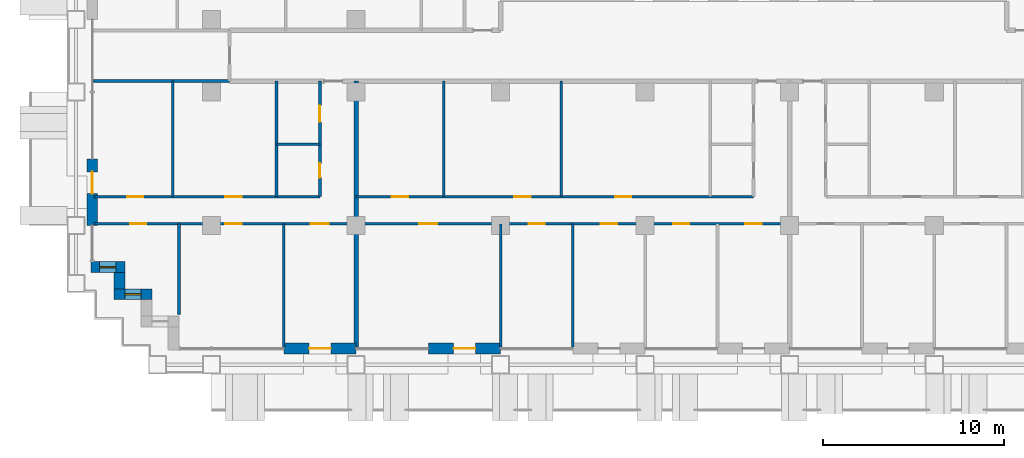
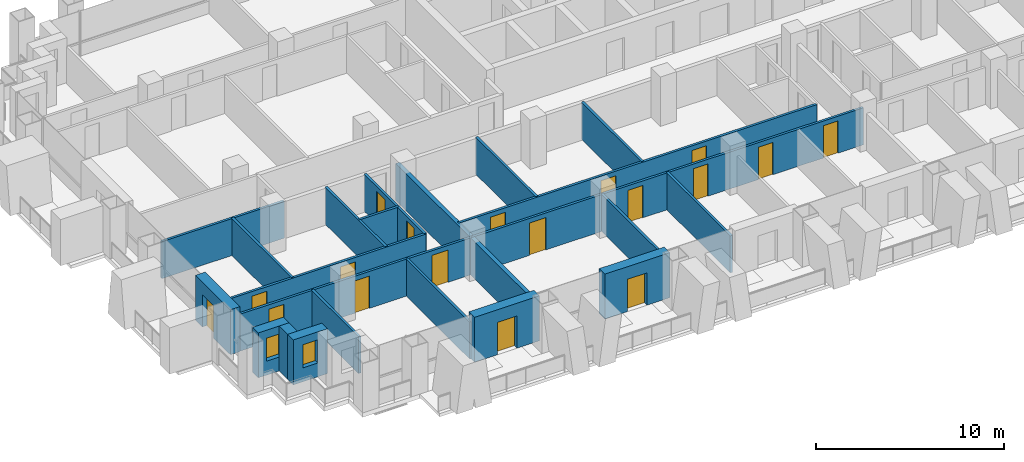
# One storey, part 9 of 18: 22 walls, 18 doors, 2 windows, 20 openings.
"""IFC4 building model written with IfcOpenShell, lengths in metres."""

from ifc_helpers import new_model, si_unit, direction, frame, frame_2d, origin, place, context, subcontext, project, spatial, rectangle, extrude, material, layer, layer_set, type_object, element, fill, save


model = new_model("IFC4")

# Units and contexts
model_context = context("Model", 3, precision=1e-05, world=origin(), true_north=direction((0.0, 1.0)))
body_context = subcontext(model_context, "Body", "Model", "MODEL_VIEW")
ifc_project = project(units=[si_unit("LENGTHUNIT", "METRE"), si_unit("AREAUNIT", "SQUARE_METRE"), si_unit("VOLUMEUNIT", "CUBIC_METRE"), si_unit("PLANEANGLEUNIT", "RADIAN"), si_unit("MASSUNIT", "GRAM", prefix="KILO")], contexts=[model_context])

# Site, building, storey
site_placement = place(None, origin())
site = spatial("IfcSite", under=ifc_project, at=site_placement, CompositionType="ELEMENT")
building_placement = place(site_placement, origin())
building = spatial("IfcBuilding", under=site, at=building_placement, Name="Vidyagriha Tower", CompositionType="ELEMENT")
storey_placement = place(building_placement, frame((0.0, 0.0, 48.0)))
storey = spatial("IfcBuildingStorey", under=building, at=storey_placement, Name="L12", CompositionType="ELEMENT", Elevation=48.0)

# Wall, opening, door
ifc_material_1 = material(Name="Precast concrete C40/50 with brick facing", Category="concrete")
ifc_layer_1 = layer(ifc_material_1, 0.60009765625)
ifc_layer_set_1 = layer_set([ifc_layer_1], Name="Precast concrete C40/50 with brick facing")
wall_type_1 = type_object("IfcWallType", Name="Brick-faced precast wall 600", PredefinedType="STANDARD", material=ifc_layer_set_1)
wall_1_placement = place(storey_placement, frame((-36.60009765625, -5.699951171875, 0.0), z_axis=(0.0, 0.0, 1.0), x_axis=(0.0, -1.0, 0.0)))
wall_1 = element("IfcWall", 1, at=wall_1_placement, inside=storey, type_object=wall_type_1, Name="Brick door bay wall L12 R16.6", PredefinedType="STANDARD", context=body_context, shape_type="SweptSolid", body=[
    extrude(rectangle(XDim=3.699951171875, YDim=0.60009765625, at=frame_2d((1.85009765625, 0.0))), origin(), (0.0, 0.0, 1.0), 2.919921875),
])
opening_1_placement = place(wall_1_placement, frame((0.72509765625, 0.0, 0.0)))
opening_1 = element("IfcOpeningElement", 2, at=opening_1_placement, cuts=wall_1, Name="Opening D12-76", PredefinedType="OPENING", context=body_context, shape_type="SweptSolid", body=[
    extrude(rectangle(XDim=1.199951171875, YDim=2.10009765625, at=frame_2d((0.60009765625, 1.050048828125))), frame((0.0, 0.31005859375, 0.0), z_axis=(0.0, -1.0, 0.0), x_axis=(1.0, 0.0, 0.0)), (0.0, 0.0, 1.0), 0.6201171875),
])
ifc_material_2 = material(Name="Aluminium framed glazed sliding door", Category="aluminium")
door_type_1 = type_object("IfcDoorType", Name="Balcony sliding door 1200x2100", OperationType="NOTDEFINED", PredefinedType="DOOR", material=ifc_material_2)
door_1_placement = place(opening_1_placement, origin())
door_1 = element("IfcDoor", 3, at=door_1_placement, inside=storey, type_object=door_type_1, Name="Door D12-76", OperationType="SLIDING_TO_LEFT", OverallHeight=2.10009765625, OverallWidth=1.199951171875, PredefinedType="DOOR", context=body_context, shape_type="SweptSolid", body=[
    extrude(rectangle(XDim=1.199951171875, YDim=2.10009765625, at=frame_2d((0.60009765625, 1.050048828125))), frame((0.0, 0.02490234375, 0.0), z_axis=(0.0, -1.0, 0.0), x_axis=(1.0, 0.0, 0.0)), (0.0, 0.0, 1.0), 0.050048828125),
])
fill(opening_1, door_1)

# Wall, opening, window
wall_2_placement = place(storey_placement, frame((-36.679931640625, -11.699951171875, 0.0)))
wall_2 = element("IfcWall", 4, at=wall_2_placement, inside=storey, type_object=wall_type_1, Name="Stepped corner wall L12 R17", PredefinedType="STANDARD", context=body_context, shape_type="SweptSolid", body=[
    extrude(rectangle(XDim=1.8798828125, YDim=0.60009765625, at=frame_2d((0.93994140625, 0.0))), origin(), (0.0, 0.0, 1.0), 2.919921875),
])
opening_2_placement = place(wall_2_placement, frame((0.489990234375, 0.0, 0.89990234375)))
opening_2 = element("IfcOpeningElement", 5, at=opening_2_placement, cuts=wall_2, Name="Opening WN1", PredefinedType="OPENING", context=body_context, shape_type="SweptSolid", body=[
    extrude(rectangle(XDim=0.89990234375, YDim=1.5, at=frame_2d((0.449951171875, 0.75))), frame((0.0, 0.31005859375, 0.0), z_axis=(0.0, -1.0, 0.0), x_axis=(1.0, 0.0, 0.0)), (0.0, 0.0, 1.0), 0.6201171875),
])
ifc_material_3 = material(Name="Aluminium and glass window", Category="aluminium")
window_type = type_object("IfcWindowType", Name="Reveal window 900x1500", PartitioningType="NOTDEFINED", PredefinedType="WINDOW", material=ifc_material_3)
window_1_placement = place(opening_2_placement, origin())
window_1 = element("IfcWindow", 6, at=window_1_placement, inside=storey, type_object=window_type, Name="Reveal window L12 R17", OverallHeight=1.5, OverallWidth=0.89990234375, PartitioningType="SINGLE_PANEL", PredefinedType="WINDOW", context=body_context, shape_type="SweptSolid", body=[
    extrude(rectangle(XDim=0.89990234375, YDim=1.5, at=frame_2d((0.449951171875, 0.75))), frame((0.0, 0.030029296875, 0.0), z_axis=(0.0, -1.0, 0.0), x_axis=(1.0, 0.0, 0.0)), (0.0, 0.0, 1.0), 0.06005859375),
])
fill(opening_2, window_1)

# Wall
wall_3_placement = place(storey_placement, frame((-35.10009765625, -12.0, 0.0), z_axis=(0.0, 0.0, 1.0), x_axis=(0.0, -1.0, 0.0)))
element("IfcWall", 7, at=wall_3_placement, inside=storey, type_object=wall_type_1, Name="Stepped corner wall L12 R18", PredefinedType="STANDARD", context=body_context, shape_type="SweptSolid", body=[
    extrude(rectangle(XDim=0.89990234375, YDim=0.60009765625, at=frame_2d((0.449951171875, 0.0))), origin(), (0.0, 0.0, 1.0), 2.919921875),
])

# Wall, opening, window
wall_4_placement = place(storey_placement, frame((-35.39990234375, -13.199951171875, 0.0)))
wall_4 = element("IfcWall", 8, at=wall_4_placement, inside=storey, type_object=wall_type_1, Name="Stepped corner wall L12 R19", PredefinedType="STANDARD", context=body_context, shape_type="SweptSolid", body=[
    extrude(rectangle(XDim=2.099853515625, YDim=0.60009765625, at=frame_2d((1.0498046875, 0.0))), origin(), (0.0, 0.0, 1.0), 2.919921875),
])
opening_3_placement = place(wall_4_placement, frame((0.60009765625, 0.0, 0.89990234375)))
opening_3 = element("IfcOpeningElement", 9, at=opening_3_placement, cuts=wall_4, Name="Opening WN1", PredefinedType="OPENING", context=body_context, shape_type="SweptSolid", body=[
    extrude(rectangle(XDim=0.89990234375, YDim=1.5, at=frame_2d((0.449951171875, 0.75))), frame((0.0, 0.31005859375, 0.0), z_axis=(0.0, -1.0, 0.0), x_axis=(1.0, 0.0, 0.0)), (0.0, 0.0, 1.0), 0.6201171875),
])
window_2_placement = place(opening_3_placement, origin())
window_2 = element("IfcWindow", 10, at=window_2_placement, inside=storey, type_object=window_type, Name="Reveal window L12 R19", OverallHeight=1.5, OverallWidth=0.89990234375, PartitioningType="SINGLE_PANEL", PredefinedType="WINDOW", context=body_context, shape_type="SweptSolid", body=[
    extrude(rectangle(XDim=0.89990234375, YDim=1.5, at=frame_2d((0.449951171875, 0.75))), frame((0.0, 0.030029296875, 0.0), z_axis=(0.0, -1.0, 0.0), x_axis=(1.0, 0.0, 0.0)), (0.0, 0.0, 1.0), 0.06005859375),
])
fill(opening_3, window_2)

# Wall, opening, door
wall_5_placement = place(storey_placement, frame((-26.0, -16.199951171875, 0.0)))
wall_5 = element("IfcWall", 11, at=wall_5_placement, inside=storey, type_object=wall_type_1, Name="Brick door bay wall L12 R23.3", PredefinedType="STANDARD", context=body_context, shape_type="SweptSolid", body=[
    extrude(rectangle(XDim=4.0, YDim=0.60009765625, at=frame_2d((2.0, 0.0))), origin(), (0.0, 0.0, 1.0), 2.919921875),
])
opening_4_placement = place(wall_5_placement, frame((1.39990234375, 0.0, 0.0)))
opening_4 = element("IfcOpeningElement", 12, at=opening_4_placement, cuts=wall_5, Name="Opening D12-77", PredefinedType="OPENING", context=body_context, shape_type="SweptSolid", body=[
    extrude(rectangle(XDim=1.199951171875, YDim=2.10009765625, at=frame_2d((0.60009765625, 1.050048828125))), frame((0.0, 0.31005859375, 0.0), z_axis=(0.0, -1.0, 0.0), x_axis=(1.0, 0.0, 0.0)), (0.0, 0.0, 1.0), 0.6201171875),
])
door_2_placement = place(opening_4_placement, origin())
door_2 = element("IfcDoor", 13, at=door_2_placement, inside=storey, type_object=door_type_1, Name="Door D12-77", OperationType="SLIDING_TO_LEFT", OverallHeight=2.10009765625, OverallWidth=1.199951171875, PredefinedType="DOOR", context=body_context, shape_type="SweptSolid", body=[
    extrude(rectangle(XDim=1.199951171875, YDim=2.10009765625, at=frame_2d((0.60009765625, 1.050048828125))), frame((0.0, 0.02490234375, 0.0), z_axis=(0.0, -1.0, 0.0), x_axis=(1.0, 0.0, 0.0)), (0.0, 0.0, 1.0), 0.050048828125),
])
fill(opening_4, door_2)

wall_6_placement = place(storey_placement, frame((-18.0, -16.199951171875, 0.0)))
wall_6 = element("IfcWall", 14, at=wall_6_placement, inside=storey, type_object=wall_type_1, Name="Brick door bay wall L12 R23.5", PredefinedType="STANDARD", context=body_context, shape_type="SweptSolid", body=[
    extrude(rectangle(XDim=4.0, YDim=0.60009765625, at=frame_2d((2.0, 0.0))), origin(), (0.0, 0.0, 1.0), 2.919921875),
])
opening_5_placement = place(wall_6_placement, frame((1.39990234375, 0.0, 0.0)))
opening_5 = element("IfcOpeningElement", 15, at=opening_5_placement, cuts=wall_6, Name="Opening D12-78", PredefinedType="OPENING", context=body_context, shape_type="SweptSolid", body=[
    extrude(rectangle(XDim=1.199951171875, YDim=2.10009765625, at=frame_2d((0.60009765625, 1.050048828125))), frame((0.0, 0.31005859375, 0.0), z_axis=(0.0, -1.0, 0.0), x_axis=(1.0, 0.0, 0.0)), (0.0, 0.0, 1.0), 0.6201171875),
])
door_3_placement = place(opening_5_placement, origin())
door_3 = element("IfcDoor", 16, at=door_3_placement, inside=storey, type_object=door_type_1, Name="Door D12-78", OperationType="SLIDING_TO_LEFT", OverallHeight=2.10009765625, OverallWidth=1.199951171875, PredefinedType="DOOR", context=body_context, shape_type="SweptSolid", body=[
    extrude(rectangle(XDim=1.199951171875, YDim=2.10009765625, at=frame_2d((0.60009765625, 1.050048828125))), frame((0.0, 0.02490234375, 0.0), z_axis=(0.0, -1.0, 0.0), x_axis=(1.0, 0.0, 0.0)), (0.0, 0.0, 1.0), 0.050048828125),
])
fill(opening_5, door_3)

# Walls
ifc_material_4 = material(Name="Fired clay brick masonry", Category="masonry")
ifc_layer_2 = layer(ifc_material_4, 0.25)
ifc_layer_set_2 = layer_set([ifc_layer_2], Name="Fired clay brick masonry")
wall_type_2 = type_object("IfcWallType", Name="Fired clay brick demising wall 250", PredefinedType="PARTITIONING", material=ifc_layer_set_2)
wall_7_placement = place(storey_placement, frame((-22.0, -1.39990234375, 0.0), z_axis=(0.0, 0.0, 1.0), x_axis=(0.0, -1.0, 0.0)))
element("IfcWall", 17, at=wall_7_placement, inside=storey, type_object=wall_type_2, Name="Wall all-L12-w039", PredefinedType="PARTITIONING", context=body_context, shape_type="SweptSolid", body=[
    extrude(rectangle(XDim=14.710205078125, YDim=0.25, at=frame_2d((7.35498046875, 0.0))), origin(), (0.0, 0.0, 1.0), 2.39990234375),
])
ifc_material_5 = material(Name="Gypsum board partition")
ifc_layer_3 = layer(ifc_material_5, 0.14990234375)
ifc_layer_set_3 = layer_set([ifc_layer_3], Name="Gypsum board partition")
wall_type_3 = type_object("IfcWallType", Name="Gypsum board partition 150", PredefinedType="PARTITIONING", material=ifc_layer_set_3)
wall_8_placement = place(storey_placement, frame((-24.0, -4.89990234375, 0.0), z_axis=(0.0, 0.0, 1.0), x_axis=(-1.0, 0.0, 0.0)))
element("IfcWall", 18, at=wall_8_placement, inside=storey, type_object=wall_type_3, Name="Wall all-L12-w004", PredefinedType="PARTITIONING", context=body_context, shape_type="SweptSolid", body=[
    extrude(rectangle(XDim=2.39990234375, YDim=0.14990234375, at=frame_2d((1.199951171875, 0.0))), origin(), (0.0, 0.0, 1.0), 2.39990234375),
])
for number, where, z_axis, x_axis, name in (
    (19, (-26.39990234375, -7.800048828125, 0.0), (0.0, 0.0, 1.0), (0.0, 1.0, 0.0), "Wall all-L12-w005"),
    (20, (-32.14990234375, -7.800048828125, 0.0), (0.0, 0.0, 1.0), (0.0, 1.0, 0.0), "Wall all-L12-w006"),
):
    element("IfcWall", number, at=place(storey_placement, frame(where, z_axis=z_axis, x_axis=x_axis)), inside=storey, type_object=wall_type_3, Name=name, PredefinedType="PARTITIONING", context=body_context, shape_type="SweptSolid", body=[
        extrude(rectangle(XDim=6.400146484375, YDim=0.14990234375, at=frame_2d((3.2001953125, 0.0))), origin(), (0.0, 0.0, 1.0), 2.39990234375),
    ])

# Wall, openings, doors
wall_9_placement = place(storey_placement, frame((-36.510009765625, -7.800048828125, 0.0)))
wall_9 = element("IfcWall", 21, at=wall_9_placement, inside=storey, type_object=wall_type_3, Name="Wall all-L12-w007", PredefinedType="PARTITIONING", context=body_context, shape_type="SweptSolid", body=[
    extrude(rectangle(XDim=12.510009765625, YDim=0.14990234375, at=frame_2d((6.2548828125, 0.0))), origin(), (0.0, 0.0, 1.0), 2.39990234375),
])
opening_6_placement = place(wall_9_placement, frame((7.27001953125, 0.0, 0.0)))
opening_6 = element("IfcOpeningElement", 22, at=opening_6_placement, cuts=wall_9, Name="Opening D12-15", PredefinedType="OPENING", context=body_context, shape_type="SweptSolid", body=[
    extrude(rectangle(XDim=0.89990234375, YDim=2.10009765625, at=frame_2d((0.449951171875, 1.050048828125))), frame((0.0, 0.0849609375, 0.0), z_axis=(0.0, -1.0, 0.0), x_axis=(1.0, 0.0, 0.0)), (0.0, 0.0, 1.0), 0.169921875),
])
opening_7_placement = place(wall_9_placement, frame((1.8349609375, 0.0, 0.0)))
opening_7 = element("IfcOpeningElement", 23, at=opening_7_placement, cuts=wall_9, Name="Opening D12-16", PredefinedType="OPENING", context=body_context, shape_type="SweptSolid", body=[
    extrude(rectangle(XDim=0.89990234375, YDim=2.10009765625, at=frame_2d((0.449951171875, 1.050048828125))), frame((0.0, 0.0849609375, 0.0), z_axis=(0.0, -1.0, 0.0), x_axis=(1.0, 0.0, 0.0)), (0.0, 0.0, 1.0), 0.169921875),
])
ifc_material_6 = material(Name="Timber door leaf", Category="wood")
door_type_2 = type_object("IfcDoorType", Name="Room door 900x2100", OperationType="NOTDEFINED", PredefinedType="DOOR", material=ifc_material_6)
door_4_placement = place(opening_6_placement, origin())
door_4 = element("IfcDoor", 24, at=door_4_placement, inside=storey, type_object=door_type_2, Name="Door D12-15", OperationType="SINGLE_SWING_RIGHT", OverallHeight=2.10009765625, OverallWidth=0.89990234375, PredefinedType="DOOR", context=body_context, shape_type="SweptSolid", body=[
    extrude(rectangle(XDim=0.89990234375, YDim=2.10009765625, at=frame_2d((0.449951171875, 1.050048828125))), frame((0.0, 0.02490234375, 0.0), z_axis=(0.0, -1.0, 0.0), x_axis=(1.0, 0.0, 0.0)), (0.0, 0.0, 1.0), 0.050048828125),
])
fill(opening_6, door_4)
door_5_placement = place(opening_7_placement, origin())
door_5 = element("IfcDoor", 25, at=door_5_placement, inside=storey, type_object=door_type_2, Name="Door D12-16", OperationType="SINGLE_SWING_LEFT", OverallHeight=2.10009765625, OverallWidth=0.89990234375, PredefinedType="DOOR", context=body_context, shape_type="SweptSolid", body=[
    extrude(rectangle(XDim=0.89990234375, YDim=2.10009765625, at=frame_2d((0.449951171875, 1.050048828125))), frame((0.0, 0.02490234375, 0.0), z_axis=(0.0, -1.0, 0.0), x_axis=(1.0, 0.0, 0.0)), (0.0, 0.0, 1.0), 0.050048828125),
])
fill(opening_7, door_5)

wall_10_placement = place(storey_placement, frame((-22.0, -9.300048828125, 0.0), z_axis=(0.0, 0.0, 1.0), x_axis=(-1.0, 0.0, 0.0)))
wall_10 = element("IfcWall", 26, at=wall_10_placement, inside=storey, type_object=wall_type_3, Name="Wall all-L12-w010", PredefinedType="PARTITIONING", context=body_context, shape_type="SweptSolid", body=[
    extrude(rectangle(XDim=14.510009765625, YDim=0.14990234375, at=frame_2d((7.2548828125, 0.0))), origin(), (0.0, 0.0, 1.0), 2.39990234375),
])
opening_8_placement = place(wall_10_placement, frame((11.60009765625, 0.0, 0.0)))
opening_8 = element("IfcOpeningElement", 27, at=opening_8_placement, cuts=wall_10, Name="Opening D12-17", PredefinedType="OPENING", context=body_context, shape_type="SweptSolid", body=[
    extrude(rectangle(XDim=0.89990234375, YDim=2.10009765625, at=frame_2d((0.449951171875, 1.050048828125))), frame((0.0, 0.0849609375, 0.0), z_axis=(0.0, -1.0, 0.0), x_axis=(1.0, 0.0, 0.0)), (0.0, 0.0, 1.0), 0.169921875),
])
opening_9_placement = place(wall_10_placement, frame((6.340087890625, 0.0, 0.0)))
opening_9 = element("IfcOpeningElement", 28, at=opening_9_placement, cuts=wall_10, Name="Opening D12-18", PredefinedType="OPENING", context=body_context, shape_type="SweptSolid", body=[
    extrude(rectangle(XDim=0.89990234375, YDim=2.10009765625, at=frame_2d((0.449951171875, 1.050048828125))), frame((0.0, 0.0849609375, 0.0), z_axis=(0.0, -1.0, 0.0), x_axis=(1.0, 0.0, 0.0)), (0.0, 0.0, 1.0), 0.169921875),
])
opening_10_placement = place(wall_10_placement, frame((1.5, 0.0, 0.0)))
opening_10 = element("IfcOpeningElement", 29, at=opening_10_placement, cuts=wall_10, Name="Opening D12-19", PredefinedType="OPENING", context=body_context, shape_type="SweptSolid", body=[
    extrude(rectangle(XDim=1.0, YDim=2.10009765625, at=frame_2d((0.5, 1.050048828125))), frame((0.0, 0.0849609375, 0.0), z_axis=(0.0, -1.0, 0.0), x_axis=(1.0, 0.0, 0.0)), (0.0, 0.0, 1.0), 0.169921875),
])
ifc_material_7 = material(Name="Timber door leaf", Category="wood")
door_type_3 = type_object("IfcDoorType", Name="Room door 1000x2100", OperationType="NOTDEFINED", PredefinedType="DOOR", material=ifc_material_7)
door_6_placement = place(opening_10_placement, origin())
door_6 = element("IfcDoor", 30, at=door_6_placement, inside=storey, type_object=door_type_3, Name="Door D12-19", OperationType="SINGLE_SWING_RIGHT", OverallHeight=2.10009765625, OverallWidth=1.0, PredefinedType="DOOR", context=body_context, shape_type="SweptSolid", body=[
    extrude(rectangle(XDim=1.0, YDim=2.10009765625, at=frame_2d((0.5, 1.050048828125))), frame((0.0, 0.02490234375, 0.0), z_axis=(0.0, -1.0, 0.0), x_axis=(1.0, 0.0, 0.0)), (0.0, 0.0, 1.0), 0.050048828125),
])
fill(opening_10, door_6)
door_7_placement = place(opening_8_placement, origin())
door_7 = element("IfcDoor", 31, at=door_7_placement, inside=storey, type_object=door_type_2, Name="Door D12-17", OperationType="SINGLE_SWING_LEFT", OverallHeight=2.10009765625, OverallWidth=0.89990234375, PredefinedType="DOOR", context=body_context, shape_type="SweptSolid", body=[
    extrude(rectangle(XDim=0.89990234375, YDim=2.10009765625, at=frame_2d((0.449951171875, 1.050048828125))), frame((0.0, 0.02490234375, 0.0), z_axis=(0.0, -1.0, 0.0), x_axis=(1.0, 0.0, 0.0)), (0.0, 0.0, 1.0), 0.050048828125),
])
fill(opening_8, door_7)
door_8_placement = place(opening_9_placement, origin())
door_8 = element("IfcDoor", 32, at=door_8_placement, inside=storey, type_object=door_type_2, Name="Door D12-18", OperationType="SINGLE_SWING_LEFT", OverallHeight=2.10009765625, OverallWidth=0.89990234375, PredefinedType="DOOR", context=body_context, shape_type="SweptSolid", body=[
    extrude(rectangle(XDim=0.89990234375, YDim=2.10009765625, at=frame_2d((0.449951171875, 1.050048828125))), frame((0.0, 0.02490234375, 0.0), z_axis=(0.0, -1.0, 0.0), x_axis=(1.0, 0.0, 0.0)), (0.0, 0.0, 1.0), 0.050048828125),
])
fill(opening_9, door_8)

# Walls
wall_11_placement = place(storey_placement, frame((-31.800048828125, -9.300048828125, 0.0), z_axis=(0.0, 0.0, 1.0), x_axis=(0.0, -1.0, 0.0)))
element("IfcWall", 33, at=wall_11_placement, inside=storey, type_object=wall_type_3, Name="Wall all-L12-w014", PredefinedType="PARTITIONING", context=body_context, shape_type="SweptSolid", body=[
    extrude(rectangle(XDim=5.02001953125, YDim=0.14990234375, at=frame_2d((2.510009765625, 0.0))), origin(), (0.0, 0.0, 1.0), 2.39990234375),
])
wall_12_placement = place(storey_placement, frame((-26.0, -9.300048828125, 0.0), z_axis=(0.0, 0.0, 1.0), x_axis=(0.0, -1.0, 0.0)))
element("IfcWall", 34, at=wall_12_placement, inside=storey, type_object=wall_type_3, Name="Wall all-L12-w015", PredefinedType="PARTITIONING", context=body_context, shape_type="SweptSolid", body=[
    extrude(rectangle(XDim=6.821044921875, YDim=0.14990234375, at=frame_2d((3.41064453125, 0.0))), origin(), (0.0, 0.0, 1.0), 2.39990234375),
])
for number, where, z_axis, x_axis, name in (
    (35, (-10.64990234375, -7.800048828125, 0.0), (0.0, 0.0, 1.0), (0.0, 1.0, 0.0), "Wall all-L12-w022"),
    (36, (-17.14990234375, -7.800048828125, 0.0), (0.0, 0.0, 1.0), (0.0, 1.0, 0.0), "Wall all-L12-w023"),
):
    element("IfcWall", number, at=place(storey_placement, frame(where, z_axis=z_axis, x_axis=x_axis)), inside=storey, type_object=wall_type_3, Name=name, PredefinedType="PARTITIONING", context=body_context, shape_type="SweptSolid", body=[
        extrude(rectangle(XDim=6.400146484375, YDim=0.14990234375, at=frame_2d((3.2001953125, 0.0))), origin(), (0.0, 0.0, 1.0), 2.39990234375),
    ])

# Wall, openings, doors
wall_13_placement = place(storey_placement, frame((-22.0, -7.800048828125, 0.0)))
wall_13 = element("IfcWall", 37, at=wall_13_placement, inside=storey, type_object=wall_type_3, Name="Wall all-L12-w024", PredefinedType="PARTITIONING", context=body_context, shape_type="SweptSolid", body=[
    extrude(rectangle(XDim=22.0, YDim=0.14990234375, at=frame_2d((11.0, 0.0))), origin(), (0.0, 0.0, 1.0), 2.39990234375),
])
opening_11_placement = place(wall_13_placement, frame((14.340087890625, 0.0, 0.0)))
opening_11 = element("IfcOpeningElement", 38, at=opening_11_placement, cuts=wall_13, Name="Opening D12-23", PredefinedType="OPENING", context=body_context, shape_type="SweptSolid", body=[
    extrude(rectangle(XDim=0.89990234375, YDim=2.10009765625, at=frame_2d((0.449951171875, 1.050048828125))), frame((0.0, 0.0849609375, 0.0), z_axis=(0.0, -1.0, 0.0), x_axis=(1.0, 0.0, 0.0)), (0.0, 0.0, 1.0), 0.169921875),
])
opening_12_placement = place(wall_13_placement, frame((8.760009765625, 0.0, 0.0)))
opening_12 = element("IfcOpeningElement", 39, at=opening_12_placement, cuts=wall_13, Name="Opening D12-24", PredefinedType="OPENING", context=body_context, shape_type="SweptSolid", body=[
    extrude(rectangle(XDim=0.89990234375, YDim=2.10009765625, at=frame_2d((0.449951171875, 1.050048828125))), frame((0.0, 0.0849609375, 0.0), z_axis=(0.0, -1.0, 0.0), x_axis=(1.0, 0.0, 0.0)), (0.0, 0.0, 1.0), 0.169921875),
])
opening_13_placement = place(wall_13_placement, frame((1.97509765625, 0.0, 0.0)))
opening_13 = element("IfcOpeningElement", 40, at=opening_13_placement, cuts=wall_13, Name="Opening D12-25", PredefinedType="OPENING", context=body_context, shape_type="SweptSolid", body=[
    extrude(rectangle(XDim=0.89990234375, YDim=2.10009765625, at=frame_2d((0.449951171875, 1.050048828125))), frame((0.0, 0.0849609375, 0.0), z_axis=(0.0, -1.0, 0.0), x_axis=(1.0, 0.0, 0.0)), (0.0, 0.0, 1.0), 0.169921875),
])
door_9_placement = place(opening_11_placement, origin())
door_9 = element("IfcDoor", 41, at=door_9_placement, inside=storey, type_object=door_type_2, Name="Door D12-23", OperationType="SINGLE_SWING_LEFT", OverallHeight=2.10009765625, OverallWidth=0.89990234375, PredefinedType="DOOR", context=body_context, shape_type="SweptSolid", body=[
    extrude(rectangle(XDim=0.89990234375, YDim=2.10009765625, at=frame_2d((0.449951171875, 1.050048828125))), frame((0.0, 0.02490234375, 0.0), z_axis=(0.0, -1.0, 0.0), x_axis=(1.0, 0.0, 0.0)), (0.0, 0.0, 1.0), 0.050048828125),
])
fill(opening_11, door_9)
door_10_placement = place(opening_12_placement, origin())
door_10 = element("IfcDoor", 42, at=door_10_placement, inside=storey, type_object=door_type_2, Name="Door D12-24", OperationType="SINGLE_SWING_RIGHT", OverallHeight=2.10009765625, OverallWidth=0.89990234375, PredefinedType="DOOR", context=body_context, shape_type="SweptSolid", body=[
    extrude(rectangle(XDim=0.89990234375, YDim=2.10009765625, at=frame_2d((0.449951171875, 1.050048828125))), frame((0.0, 0.02490234375, 0.0), z_axis=(0.0, -1.0, 0.0), x_axis=(1.0, 0.0, 0.0)), (0.0, 0.0, 1.0), 0.050048828125),
])
fill(opening_12, door_10)
door_11_placement = place(opening_13_placement, origin())
door_11 = element("IfcDoor", 43, at=door_11_placement, inside=storey, type_object=door_type_2, Name="Door D12-25", OperationType="SINGLE_SWING_RIGHT", OverallHeight=2.10009765625, OverallWidth=0.89990234375, PredefinedType="DOOR", context=body_context, shape_type="SweptSolid", body=[
    extrude(rectangle(XDim=0.89990234375, YDim=2.10009765625, at=frame_2d((0.449951171875, 1.050048828125))), frame((0.0, 0.02490234375, 0.0), z_axis=(0.0, -1.0, 0.0), x_axis=(1.0, 0.0, 0.0)), (0.0, 0.0, 1.0), 0.050048828125),
])
fill(opening_13, door_11)

wall_14_placement = place(storey_placement, frame((2.0, -9.300048828125, 0.0), z_axis=(0.0, 0.0, 1.0), x_axis=(-1.0, 0.0, 0.0)))
wall_14 = element("IfcWall", 44, at=wall_14_placement, inside=storey, type_object=wall_type_3, Name="Wall all-L12-w028", PredefinedType="PARTITIONING", context=body_context, shape_type="SweptSolid", body=[
    extrude(rectangle(XDim=24.0, YDim=0.14990234375, at=frame_2d((12.0, 0.0))), origin(), (0.0, 0.0, 1.0), 2.39990234375),
])
opening_14_placement = place(wall_14_placement, frame((19.5, 0.0, 0.0)))
opening_14 = element("IfcOpeningElement", 45, at=opening_14_placement, cuts=wall_14, Name="Opening D12-26", PredefinedType="OPENING", context=body_context, shape_type="SweptSolid", body=[
    extrude(rectangle(XDim=1.0, YDim=2.10009765625, at=frame_2d((0.5, 1.050048828125))), frame((0.0, 0.0849609375, 0.0), z_axis=(0.0, -1.0, 0.0), x_axis=(1.0, 0.0, 0.0)), (0.0, 0.0, 1.0), 0.169921875),
])
opening_15_placement = place(wall_14_placement, frame((13.550048828125, 0.0, 0.0)))
opening_15 = element("IfcOpeningElement", 46, at=opening_15_placement, cuts=wall_14, Name="Opening D12-27", PredefinedType="OPENING", context=body_context, shape_type="SweptSolid", body=[
    extrude(rectangle(XDim=0.89990234375, YDim=2.10009765625, at=frame_2d((0.449951171875, 1.050048828125))), frame((0.0, 0.0849609375, 0.0), z_axis=(0.0, -1.0, 0.0), x_axis=(1.0, 0.0, 0.0)), (0.0, 0.0, 1.0), 0.169921875),
])
opening_16_placement = place(wall_14_placement, frame((9.550048828125, 0.0, 0.0)))
opening_16 = element("IfcOpeningElement", 47, at=opening_16_placement, cuts=wall_14, Name="Opening D12-28", PredefinedType="OPENING", context=body_context, shape_type="SweptSolid", body=[
    extrude(rectangle(XDim=0.89990234375, YDim=2.10009765625, at=frame_2d((0.449951171875, 1.050048828125))), frame((0.0, 0.0849609375, 0.0), z_axis=(0.0, -1.0, 0.0), x_axis=(1.0, 0.0, 0.0)), (0.0, 0.0, 1.0), 0.169921875),
])
opening_17_placement = place(wall_14_placement, frame((5.550048828125, 0.0, 0.0)))
opening_17 = element("IfcOpeningElement", 48, at=opening_17_placement, cuts=wall_14, Name="Opening D12-29", PredefinedType="OPENING", context=body_context, shape_type="SweptSolid", body=[
    extrude(rectangle(XDim=0.89990234375, YDim=2.10009765625, at=frame_2d((0.449951171875, 1.050048828125))), frame((0.0, 0.0849609375, 0.0), z_axis=(0.0, -1.0, 0.0), x_axis=(1.0, 0.0, 0.0)), (0.0, 0.0, 1.0), 0.169921875),
])
opening_18_placement = place(wall_14_placement, frame((1.550048828125, 0.0, 0.0)))
opening_18 = element("IfcOpeningElement", 49, at=opening_18_placement, cuts=wall_14, Name="Opening D12-30", PredefinedType="OPENING", context=body_context, shape_type="SweptSolid", body=[
    extrude(rectangle(XDim=0.89990234375, YDim=2.10009765625, at=frame_2d((0.449951171875, 1.050048828125))), frame((0.0, 0.0849609375, 0.0), z_axis=(0.0, -1.0, 0.0), x_axis=(1.0, 0.0, 0.0)), (0.0, 0.0, 1.0), 0.169921875),
])
door_12_placement = place(opening_14_placement, origin())
door_12 = element("IfcDoor", 50, at=door_12_placement, inside=storey, type_object=door_type_3, Name="Door D12-26", OperationType="SINGLE_SWING_RIGHT", OverallHeight=2.10009765625, OverallWidth=1.0, PredefinedType="DOOR", context=body_context, shape_type="SweptSolid", body=[
    extrude(rectangle(XDim=1.0, YDim=2.10009765625, at=frame_2d((0.5, 1.050048828125))), frame((0.0, 0.02490234375, 0.0), z_axis=(0.0, -1.0, 0.0), x_axis=(1.0, 0.0, 0.0)), (0.0, 0.0, 1.0), 0.050048828125),
])
fill(opening_14, door_12)
door_13_placement = place(opening_15_placement, origin())
door_13 = element("IfcDoor", 51, at=door_13_placement, inside=storey, type_object=door_type_2, Name="Door D12-27", OperationType="SINGLE_SWING_RIGHT", OverallHeight=2.10009765625, OverallWidth=0.89990234375, PredefinedType="DOOR", context=body_context, shape_type="SweptSolid", body=[
    extrude(rectangle(XDim=0.89990234375, YDim=2.10009765625, at=frame_2d((0.449951171875, 1.050048828125))), frame((0.0, 0.02490234375, 0.0), z_axis=(0.0, -1.0, 0.0), x_axis=(1.0, 0.0, 0.0)), (0.0, 0.0, 1.0), 0.050048828125),
])
fill(opening_15, door_13)
door_14_placement = place(opening_16_placement, origin())
door_14 = element("IfcDoor", 52, at=door_14_placement, inside=storey, type_object=door_type_2, Name="Door D12-28", OperationType="SINGLE_SWING_RIGHT", OverallHeight=2.10009765625, OverallWidth=0.89990234375, PredefinedType="DOOR", context=body_context, shape_type="SweptSolid", body=[
    extrude(rectangle(XDim=0.89990234375, YDim=2.10009765625, at=frame_2d((0.449951171875, 1.050048828125))), frame((0.0, 0.02490234375, 0.0), z_axis=(0.0, -1.0, 0.0), x_axis=(1.0, 0.0, 0.0)), (0.0, 0.0, 1.0), 0.050048828125),
])
fill(opening_16, door_14)
door_15_placement = place(opening_17_placement, origin())
door_15 = element("IfcDoor", 53, at=door_15_placement, inside=storey, type_object=door_type_2, Name="Door D12-29", OperationType="SINGLE_SWING_RIGHT", OverallHeight=2.10009765625, OverallWidth=0.89990234375, PredefinedType="DOOR", context=body_context, shape_type="SweptSolid", body=[
    extrude(rectangle(XDim=0.89990234375, YDim=2.10009765625, at=frame_2d((0.449951171875, 1.050048828125))), frame((0.0, 0.02490234375, 0.0), z_axis=(0.0, -1.0, 0.0), x_axis=(1.0, 0.0, 0.0)), (0.0, 0.0, 1.0), 0.050048828125),
])
fill(opening_17, door_15)
door_16_placement = place(opening_18_placement, origin())
door_16 = element("IfcDoor", 54, at=door_16_placement, inside=storey, type_object=door_type_2, Name="Door D12-30", OperationType="SINGLE_SWING_RIGHT", OverallHeight=2.10009765625, OverallWidth=0.89990234375, PredefinedType="DOOR", context=body_context, shape_type="SweptSolid", body=[
    extrude(rectangle(XDim=0.89990234375, YDim=2.10009765625, at=frame_2d((0.449951171875, 1.050048828125))), frame((0.0, 0.02490234375, 0.0), z_axis=(0.0, -1.0, 0.0), x_axis=(1.0, 0.0, 0.0)), (0.0, 0.0, 1.0), 0.050048828125),
])
fill(opening_18, door_16)

# Walls
wall_15_placement = place(storey_placement, frame((-14.0, -9.300048828125, 0.0), z_axis=(0.0, 0.0, 1.0), x_axis=(0.0, -1.0, 0.0)))
element("IfcWall", 55, at=wall_15_placement, inside=storey, type_object=wall_type_3, Name="Wall all-L12-w034", PredefinedType="PARTITIONING", context=body_context, shape_type="SweptSolid", body=[
    extrude(rectangle(XDim=6.81005859375, YDim=0.14990234375, at=frame_2d((3.405029296875, 0.0))), origin(), (0.0, 0.0, 1.0), 2.39990234375),
])
wall_16_placement = place(storey_placement, frame((-10.0, -9.300048828125, 0.0), z_axis=(0.0, 0.0, 1.0), x_axis=(0.0, -1.0, 0.0)))
element("IfcWall", 56, at=wall_16_placement, inside=storey, type_object=wall_type_3, Name="Wall all-L12-w035", PredefinedType="PARTITIONING", context=body_context, shape_type="SweptSolid", body=[
    extrude(rectangle(XDim=6.821044921875, YDim=0.14990234375, at=frame_2d((3.41064453125, 0.0))), origin(), (0.0, 0.0, 1.0), 2.39990234375),
])
wall_17_placement = place(storey_placement, frame((-29.0, -1.39990234375, 0.0), z_axis=(0.0, 0.0, 1.0), x_axis=(-1.0, 0.0, 0.0)))
element("IfcWall", 57, at=wall_17_placement, inside=storey, type_object=wall_type_3, Name="Wall all-L12-w081", PredefinedType="PARTITIONING", context=body_context, shape_type="SweptSolid", body=[
    extrude(rectangle(XDim=7.52001953125, YDim=0.14990234375, at=frame_2d((3.760009765625, 0.0))), origin(), (0.0, 0.0, 1.0), 2.39990234375),
])

# Wall, openings, doors
ifc_material_8 = material(Name="Moisture resistant gypsum board partition")
ifc_layer_4 = layer(ifc_material_8, 0.14990234375)
ifc_layer_set_4 = layer_set([ifc_layer_4], Name="Moisture resistant gypsum board partition")
wall_type_4 = type_object("IfcWallType", Name="Gypsum board wet-area partition 150", PredefinedType="PARTITIONING", material=ifc_layer_set_4)
wall_18_placement = place(storey_placement, frame((-24.0, -7.800048828125, 0.0), z_axis=(0.0, 0.0, 1.0), x_axis=(0.0, 1.0, 0.0)))
wall_18 = element("IfcWall", 58, at=wall_18_placement, inside=storey, type_object=wall_type_4, Name="Wall all-L12-w001", PredefinedType="PARTITIONING", context=body_context, shape_type="SweptSolid", body=[
    extrude(rectangle(XDim=6.400146484375, YDim=0.14990234375, at=frame_2d((3.2001953125, 0.0))), origin(), (0.0, 0.0, 1.0), 2.39990234375),
])
opening_19_placement = place(wall_18_placement, frame((4.139892578125, 0.0, 0.0)))
opening_19 = element("IfcOpeningElement", 59, at=opening_19_placement, cuts=wall_18, Name="Opening D12-13", PredefinedType="OPENING", context=body_context, shape_type="SweptSolid", body=[
    extrude(rectangle(XDim=0.89990234375, YDim=2.10009765625, at=frame_2d((0.449951171875, 1.050048828125))), frame((0.0, 0.0849609375, 0.0), z_axis=(0.0, -1.0, 0.0), x_axis=(1.0, 0.0, 0.0)), (0.0, 0.0, 1.0), 0.169921875),
])
opening_20_placement = place(wall_18_placement, frame((1.050048828125, 0.0, 0.0)))
opening_20 = element("IfcOpeningElement", 60, at=opening_20_placement, cuts=wall_18, Name="Opening D12-14", PredefinedType="OPENING", context=body_context, shape_type="SweptSolid", body=[
    extrude(rectangle(XDim=0.800048828125, YDim=2.10009765625, at=frame_2d((0.39990234375, 1.050048828125))), frame((0.0, 0.0849609375, 0.0), z_axis=(0.0, -1.0, 0.0), x_axis=(1.0, 0.0, 0.0)), (0.0, 0.0, 1.0), 0.169921875),
])
ifc_material_9 = material(Name="Timber door leaf", Category="wood")
door_type_4 = type_object("IfcDoorType", Name="Bathroom door 800x2100", OperationType="NOTDEFINED", PredefinedType="DOOR", material=ifc_material_9)
door_17_placement = place(opening_20_placement, origin())
door_17 = element("IfcDoor", 61, at=door_17_placement, inside=storey, type_object=door_type_4, Name="Door D12-14", OperationType="SINGLE_SWING_RIGHT", OverallHeight=2.10009765625, OverallWidth=0.800048828125, PredefinedType="DOOR", context=body_context, shape_type="SweptSolid", body=[
    extrude(rectangle(XDim=0.800048828125, YDim=2.10009765625, at=frame_2d((0.39990234375, 1.050048828125))), frame((0.0, 0.02490234375, 0.0), z_axis=(0.0, -1.0, 0.0), x_axis=(1.0, 0.0, 0.0)), (0.0, 0.0, 1.0), 0.050048828125),
])
fill(opening_20, door_17)
ifc_material_10 = material(Name="Timber door leaf", Category="wood")
door_type_5 = type_object("IfcDoorType", Name="Kitchen door 900x2100", OperationType="NOTDEFINED", PredefinedType="DOOR", material=ifc_material_10)
door_18_placement = place(opening_19_placement, origin())
door_18 = element("IfcDoor", 62, at=door_18_placement, inside=storey, type_object=door_type_5, Name="Door D12-13", OperationType="SINGLE_SWING_LEFT", OverallHeight=2.10009765625, OverallWidth=0.89990234375, PredefinedType="DOOR", context=body_context, shape_type="SweptSolid", body=[
    extrude(rectangle(XDim=0.89990234375, YDim=2.10009765625, at=frame_2d((0.449951171875, 1.050048828125))), frame((0.0, 0.02490234375, 0.0), z_axis=(0.0, -1.0, 0.0), x_axis=(1.0, 0.0, 0.0)), (0.0, 0.0, 1.0), 0.050048828125),
])
fill(opening_19, door_18)

save(model, "model.ifc")
